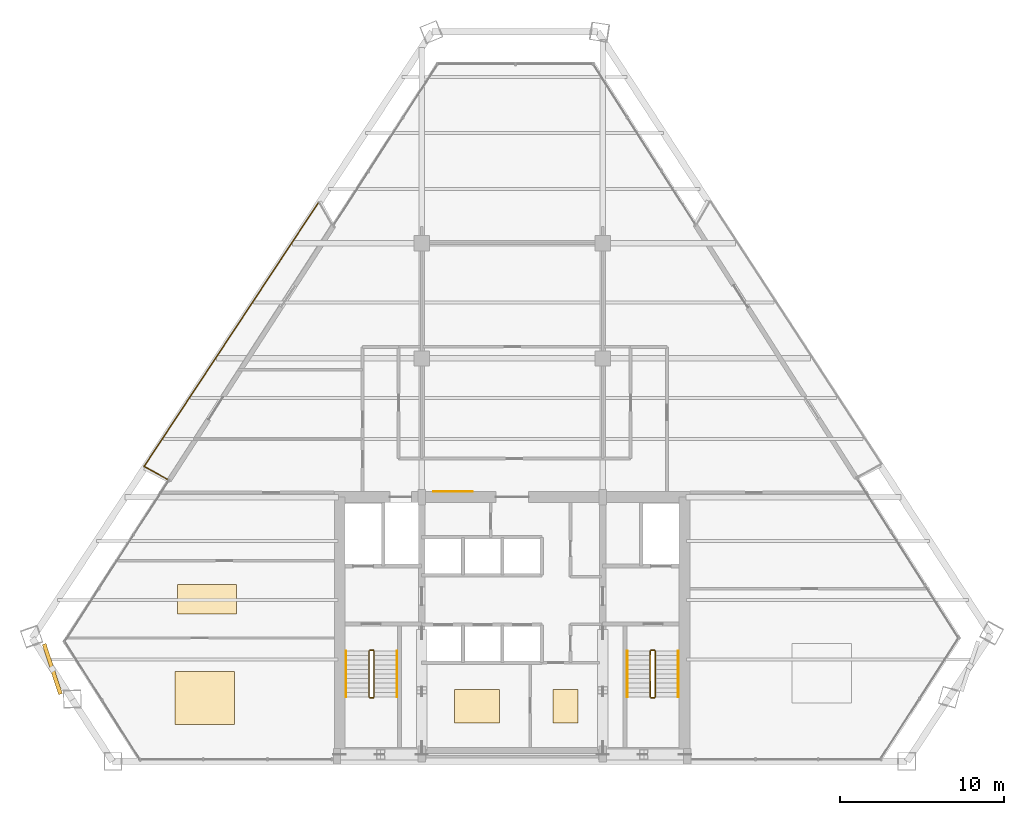
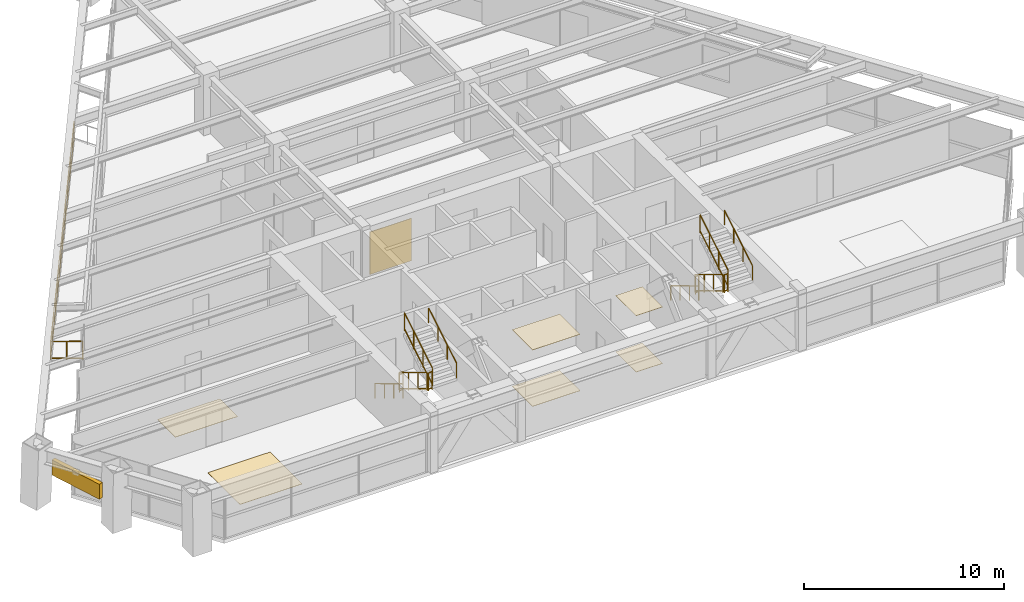
# One storey, part 14 of 15: 14 railings, 7 coverings, 1 shading device.
"""IFC4 building model written with IfcOpenShell, lengths in metres."""

from ifc_helpers import new_model, si_unit, direction, frame, origin, origin_2d, place, context, subcontext, project, spatial, rectangle, extrude, source, transform, mapped, material, layer, layer_set, type_object, type_shapes, element, save


model = new_model("IFC4")

# Units and contexts
model_context = context("Model", 3, precision=1e-05, world=origin(), true_north=direction((0.0, 1.0)))
body_context = subcontext(model_context, "Body", "Model", "MODEL_VIEW")
ifc_project = project(units=[si_unit("LENGTHUNIT", "METRE"), si_unit("AREAUNIT", "SQUARE_METRE"), si_unit("VOLUMEUNIT", "CUBIC_METRE"), si_unit("PLANEANGLEUNIT", "RADIAN"), si_unit("MASSUNIT", "GRAM", prefix="KILO")], contexts=[model_context])

# Site, building, storey
site_placement = place(None, origin())
site = spatial("IfcSite", under=ifc_project, at=site_placement, CompositionType="ELEMENT")
building_placement = place(site_placement, origin())
building = spatial("IfcBuilding", under=site, at=building_placement, Name="Varnakhor Terracotta Tower", CompositionType="ELEMENT")
storey_placement = place(building_placement, frame((0.0, 0.0, 147.800048828125)))
storey = spatial("IfcBuildingStorey", under=building, at=storey_placement, Name="L37", CompositionType="ELEMENT", Elevation=147.800048828125)

# Railings
ifc_material_1 = material(Name="Stainless Steel & Laminated Glass Guardrail", Category="steel")
railing_type_1 = type_object("IfcRailingType", Name="RLG-LOGGIA-GUARD-1150", PredefinedType="GUARDRAIL", material=ifc_material_1)
railing_1_placement = place(storey_placement, frame((-20.97265625, 17.14990234375, 0.0)))
element("IfcRailing", 1, at=railing_1_placement, inside=storey, type_object=railing_type_1, Name="L37 W Loggia Glass Guard 1", PredefinedType="GUARDRAIL", context=body_context, shape_type="SweptSolid", body=[
    extrude(rectangle(XDim=0.048095703125, YDim=0.048095703125, at=origin_2d()), frame((0.0, 0.0, 1.1259765625), z_axis=(-0.873477821906, 0.486863938528, 0.0), x_axis=(-0.486863938528, -0.873477821906, 0.0)), (0.0, 0.0, 1.0), 1.612060546875),
    extrude(rectangle(XDim=0.048095703125, YDim=0.048095703125, at=origin_2d()), frame((0.0, 0.0, 0.10009765625), z_axis=(-0.873477821906, 0.486863938528, 0.0), x_axis=(-0.486863938528, -0.873477821906, 0.0)), (0.0, 0.0, 1.0), 1.612060546875),
    extrude(rectangle(XDim=0.0419921875, YDim=0.0419921875, at=origin_2d()), origin(), (0.0, 0.0, 1.0), 1.101806640625),
    extrude(rectangle(XDim=0.0419921875, YDim=0.0419921875, at=origin_2d()), frame((-0.7041015625, 0.392578125, 0.0)), (0.0, 0.0, 1.0), 1.101806640625),
    extrude(rectangle(XDim=0.0419921875, YDim=0.0419921875, at=origin_2d()), frame((-1.408203125, 0.784912109375, 0.0)), (0.0, 0.0, 1.0), 1.101806640625),
])
railing_2_placement = place(storey_placement, frame((-22.380859375, 17.934814453125, 0.0)))
element("IfcRailing", 2, at=railing_2_placement, inside=storey, type_object=railing_type_1, Name="L37 W Loggia Glass Guard 2", PredefinedType="GUARDRAIL", context=body_context, shape_type="SweptSolid", body=[
    extrude(rectangle(XDim=0.048095703125, YDim=0.048095703125, at=origin_2d()), frame((0.0, 0.0, 1.1259765625), z_axis=(0.551735805113, 0.834018945442, 0.0), x_axis=(-0.834018945442, 0.551735805113, 0.0)), (0.0, 0.0, 1.0), 19.256591796875),
    extrude(rectangle(XDim=0.048095703125, YDim=0.048095703125, at=origin_2d()), frame((0.0, 0.0, 0.10009765625), z_axis=(0.551735805113, 0.834018945442, 0.0), x_axis=(-0.834018945442, 0.551735805113, 0.0)), (0.0, 0.0, 1.0), 19.256591796875),
    extrude(rectangle(XDim=0.0419921875, YDim=0.0419921875, at=origin_2d()), origin(), (0.0, 0.0, 1.0), 1.101806640625),
    extrude(rectangle(XDim=0.0419921875, YDim=0.0419921875, at=origin_2d()), frame((0.7587890625, 1.147216796875, 0.0)), (0.0, 0.0, 1.0), 1.101806640625),
    extrude(rectangle(XDim=0.0419921875, YDim=0.0419921875, at=origin_2d()), frame((1.517822265625, 2.29443359375, 0.0)), (0.0, 0.0, 1.0), 1.101806640625),
    extrude(rectangle(XDim=0.0419921875, YDim=0.0419921875, at=origin_2d()), frame((2.276611328125, 3.44140625, 0.0)), (0.0, 0.0, 1.0), 1.101806640625),
    extrude(rectangle(XDim=0.0419921875, YDim=0.0419921875, at=origin_2d()), frame((3.03564453125, 4.588623046875, 0.0)), (0.0, 0.0, 1.0), 1.101806640625),
    extrude(rectangle(XDim=0.0419921875, YDim=0.0419921875, at=origin_2d()), frame((3.79443359375, 5.73583984375, 0.0)), (0.0, 0.0, 1.0), 1.101806640625),
    extrude(rectangle(XDim=0.0419921875, YDim=0.0419921875, at=origin_2d()), frame((4.553466796875, 6.883056640625, 0.0)), (0.0, 0.0, 1.0), 1.101806640625),
    extrude(rectangle(XDim=0.0419921875, YDim=0.0419921875, at=origin_2d()), frame((5.312255859375, 8.0302734375, 0.0)), (0.0, 0.0, 1.0), 1.101806640625),
    extrude(rectangle(XDim=0.0419921875, YDim=0.0419921875, at=origin_2d()), frame((6.071044921875, 9.17724609375, 0.0)), (0.0, 0.0, 1.0), 1.101806640625),
    extrude(rectangle(XDim=0.0419921875, YDim=0.0419921875, at=origin_2d()), frame((6.830078125, 10.324462890625, 0.0)), (0.0, 0.0, 1.0), 1.101806640625),
    extrude(rectangle(XDim=0.0419921875, YDim=0.0419921875, at=origin_2d()), frame((7.5888671875, 11.4716796875, 0.0)), (0.0, 0.0, 1.0), 1.101806640625),
    extrude(rectangle(XDim=0.0419921875, YDim=0.0419921875, at=origin_2d()), frame((8.347900390625, 12.618896484375, 0.0)), (0.0, 0.0, 1.0), 1.101806640625),
    extrude(rectangle(XDim=0.0419921875, YDim=0.0419921875, at=origin_2d()), frame((9.106689453125, 13.765869140625, 0.0)), (0.0, 0.0, 1.0), 1.101806640625),
    extrude(rectangle(XDim=0.0419921875, YDim=0.0419921875, at=origin_2d()), frame((9.86572265625, 14.9130859375, 0.0)), (0.0, 0.0, 1.0), 1.101806640625),
    extrude(rectangle(XDim=0.0419921875, YDim=0.0419921875, at=origin_2d()), frame((10.62451171875, 16.060302734375, 0.0)), (0.0, 0.0, 1.0), 1.101806640625),
])
ifc_material_2 = material(Name="Painted Steel Stairwell Guardrail", Category="steel")
railing_type_2 = type_object("IfcRailingType", Name="RLG-STAIR-GUARD-1120", PredefinedType="GUARDRAIL", material=ifc_material_2)
railing_3_placement = place(storey_placement, frame((-8.699951171875, 6.7099609375, 0.168212890625)))
element("IfcRailing", 3, at=railing_3_placement, inside=storey, type_object=railing_type_2, Name="L37 ST-1 stair guard 1", PredefinedType="GUARDRAIL", context=body_context, shape_type="SweptSolid", body=[
    extrude(rectangle(XDim=0.048095703125, YDim=0.048095703125, at=origin_2d()), frame((0.0, 0.0, 1.09619140625), z_axis=(0.0, -0.857275202839, 0.514858452973), x_axis=(1.0, 0.0, 0.0)), (0.0, 0.0, 1.0), 3.26611328125),
    extrude(rectangle(XDim=0.048095703125, YDim=0.048095703125, at=origin_2d()), frame((0.0, 0.0, 0.10009765625), z_axis=(0.0, -0.857275202839, 0.514858452973), x_axis=(1.0, 0.0, 0.0)), (0.0, 0.0, 1.0), 3.26611328125),
    extrude(rectangle(XDim=0.0419921875, YDim=0.0419921875, at=origin_2d()), origin(), (0.0, 0.0, 1.0), 1.072021484375),
    extrude(rectangle(XDim=0.0419921875, YDim=0.0419921875, at=origin_2d()), frame((0.0, -0.933349609375, 0.560546875)), (0.0, 0.0, 1.0), 1.072021484375),
    extrude(rectangle(XDim=0.0419921875, YDim=0.0419921875, at=origin_2d()), frame((0.0, -1.86669921875, 1.12109375)), (0.0, 0.0, 1.0), 1.072021484375),
    extrude(rectangle(XDim=0.0419921875, YDim=0.0419921875, at=origin_2d()), frame((0.0, -2.800048828125, 1.681640625)), (0.0, 0.0, 1.0), 1.072021484375),
])
railing_4_placement = place(storey_placement, frame((-8.64990234375, 3.860107421875, 1.849853515625)))
element("IfcRailing", 4, at=railing_4_placement, inside=storey, type_object=railing_type_2, Name="L37 ST-1 stair guard 2", PredefinedType="GUARDRAIL", context=body_context, shape_type="SweptSolid", body=[
    extrude(rectangle(XDim=0.048095703125, YDim=0.048095703125, at=origin_2d()), frame((0.0, 0.0, 1.09619140625), z_axis=(1.0, 0.0, 0.0), x_axis=(0.0, 1.0, 0.0)), (0.0, 0.0, 1.0), 0.199951171875),
    extrude(rectangle(XDim=0.048095703125, YDim=0.048095703125, at=origin_2d()), frame((0.0, 0.0, 0.10009765625), z_axis=(1.0, 0.0, 0.0), x_axis=(0.0, 1.0, 0.0)), (0.0, 0.0, 1.0), 0.199951171875),
    extrude(rectangle(XDim=0.0419921875, YDim=0.0419921875, at=origin_2d()), origin(), (0.0, 0.0, 1.0), 1.072021484375),
    extrude(rectangle(XDim=0.0419921875, YDim=0.0419921875, at=origin_2d()), frame((0.199951171875, 0.0, 0.0)), (0.0, 0.0, 1.0), 1.072021484375),
])
railing_5_placement = place(storey_placement, frame((-8.39990234375, 3.909912109375, 2.01806640625)))
element("IfcRailing", 5, at=railing_5_placement, inside=storey, type_object=railing_type_2, Name="L37 ST-1 stair guard 3", PredefinedType="GUARDRAIL", context=body_context, shape_type="SweptSolid", body=[
    extrude(rectangle(XDim=0.048095703125, YDim=0.048095703125, at=origin_2d()), frame((0.0, 0.0, 1.09619140625), z_axis=(0.0, 0.857242210791, 0.514913383045), x_axis=(-1.0, 0.0, 0.0)), (0.0, 0.0, 1.0), 3.266357421875),
    extrude(rectangle(XDim=0.048095703125, YDim=0.048095703125, at=origin_2d()), frame((0.0, 0.0, 0.10009765625), z_axis=(0.0, 0.857242210791, 0.514913383045), x_axis=(-1.0, 0.0, 0.0)), (0.0, 0.0, 1.0), 3.266357421875),
    extrude(rectangle(XDim=0.0419921875, YDim=0.0419921875, at=origin_2d()), origin(), (0.0, 0.0, 1.0), 1.072021484375),
    extrude(rectangle(XDim=0.0419921875, YDim=0.0419921875, at=origin_2d()), frame((0.0, 0.933349609375, 0.560546875)), (0.0, 0.0, 1.0), 1.072021484375),
    extrude(rectangle(XDim=0.0419921875, YDim=0.0419921875, at=origin_2d()), frame((0.0, 1.86669921875, 1.121337890625)), (0.0, 0.0, 1.0), 1.072021484375),
    extrude(rectangle(XDim=0.0419921875, YDim=0.0419921875, at=origin_2d()), frame((0.0, 2.800048828125, 1.681884765625)), (0.0, 0.0, 1.0), 1.072021484375),
])
railing_6_placement = place(storey_placement, frame((-8.64990234375, 6.760009765625, 0.0)))
element("IfcRailing", 6, at=railing_6_placement, inside=storey, type_object=railing_type_2, Name="L37 ST-1 stair guard 4", PredefinedType="GUARDRAIL", context=body_context, shape_type="SweptSolid", body=[
    extrude(rectangle(XDim=0.048095703125, YDim=0.048095703125, at=origin_2d()), frame((0.0, 0.0, 1.09619140625), z_axis=(1.0, 0.0, 0.0), x_axis=(0.0, 1.0, 0.0)), (0.0, 0.0, 1.0), 0.199951171875),
    extrude(rectangle(XDim=0.048095703125, YDim=0.048095703125, at=origin_2d()), frame((0.0, 0.0, 0.10009765625), z_axis=(1.0, 0.0, 0.0), x_axis=(0.0, 1.0, 0.0)), (0.0, 0.0, 1.0), 0.199951171875),
    extrude(rectangle(XDim=0.0419921875, YDim=0.0419921875, at=origin_2d()), origin(), (0.0, 0.0, 1.0), 1.072021484375),
    extrude(rectangle(XDim=0.0419921875, YDim=0.0419921875, at=origin_2d()), frame((0.199951171875, 0.0, 0.0)), (0.0, 0.0, 1.0), 1.072021484375),
])
railing_7_placement = place(storey_placement, frame((8.39990234375, 6.7099609375, 0.168212890625)))
element("IfcRailing", 7, at=railing_7_placement, inside=storey, type_object=railing_type_2, Name="L37 ST-2 stair guard 1", PredefinedType="GUARDRAIL", context=body_context, shape_type="SweptSolid", body=[
    extrude(rectangle(XDim=0.048095703125, YDim=0.048095703125, at=origin_2d()), frame((0.0, 0.0, 1.09619140625), z_axis=(0.0, -0.857275202839, 0.514858452973), x_axis=(1.0, 0.0, 0.0)), (0.0, 0.0, 1.0), 3.26611328125),
    extrude(rectangle(XDim=0.048095703125, YDim=0.048095703125, at=origin_2d()), frame((0.0, 0.0, 0.10009765625), z_axis=(0.0, -0.857275202839, 0.514858452973), x_axis=(1.0, 0.0, 0.0)), (0.0, 0.0, 1.0), 3.26611328125),
    extrude(rectangle(XDim=0.0419921875, YDim=0.0419921875, at=origin_2d()), origin(), (0.0, 0.0, 1.0), 1.072021484375),
    extrude(rectangle(XDim=0.0419921875, YDim=0.0419921875, at=origin_2d()), frame((0.0, -0.933349609375, 0.560546875)), (0.0, 0.0, 1.0), 1.072021484375),
    extrude(rectangle(XDim=0.0419921875, YDim=0.0419921875, at=origin_2d()), frame((0.0, -1.86669921875, 1.12109375)), (0.0, 0.0, 1.0), 1.072021484375),
    extrude(rectangle(XDim=0.0419921875, YDim=0.0419921875, at=origin_2d()), frame((0.0, -2.800048828125, 1.681640625)), (0.0, 0.0, 1.0), 1.072021484375),
])
railing_8_placement = place(storey_placement, frame((8.449951171875, 3.860107421875, 1.849853515625)))
element("IfcRailing", 8, at=railing_8_placement, inside=storey, type_object=railing_type_2, Name="L37 ST-2 stair guard 2", PredefinedType="GUARDRAIL", context=body_context, shape_type="SweptSolid", body=[
    extrude(rectangle(XDim=0.048095703125, YDim=0.048095703125, at=origin_2d()), frame((0.0, 0.0, 1.09619140625), z_axis=(1.0, 0.0, 0.0), x_axis=(0.0, 1.0, 0.0)), (0.0, 0.0, 1.0), 0.199951171875),
    extrude(rectangle(XDim=0.048095703125, YDim=0.048095703125, at=origin_2d()), frame((0.0, 0.0, 0.10009765625), z_axis=(1.0, 0.0, 0.0), x_axis=(0.0, 1.0, 0.0)), (0.0, 0.0, 1.0), 0.199951171875),
    extrude(rectangle(XDim=0.0419921875, YDim=0.0419921875, at=origin_2d()), origin(), (0.0, 0.0, 1.0), 1.072021484375),
    extrude(rectangle(XDim=0.0419921875, YDim=0.0419921875, at=origin_2d()), frame((0.199951171875, 0.0, 0.0)), (0.0, 0.0, 1.0), 1.072021484375),
])
railing_9_placement = place(storey_placement, frame((8.699951171875, 3.909912109375, 2.01806640625)))
element("IfcRailing", 9, at=railing_9_placement, inside=storey, type_object=railing_type_2, Name="L37 ST-2 stair guard 3", PredefinedType="GUARDRAIL", context=body_context, shape_type="SweptSolid", body=[
    extrude(rectangle(XDim=0.048095703125, YDim=0.048095703125, at=origin_2d()), frame((0.0, 0.0, 1.09619140625), z_axis=(0.0, 0.857242210791, 0.514913383045), x_axis=(-1.0, 0.0, 0.0)), (0.0, 0.0, 1.0), 3.266357421875),
    extrude(rectangle(XDim=0.048095703125, YDim=0.048095703125, at=origin_2d()), frame((0.0, 0.0, 0.10009765625), z_axis=(0.0, 0.857242210791, 0.514913383045), x_axis=(-1.0, 0.0, 0.0)), (0.0, 0.0, 1.0), 3.266357421875),
    extrude(rectangle(XDim=0.0419921875, YDim=0.0419921875, at=origin_2d()), origin(), (0.0, 0.0, 1.0), 1.072021484375),
    extrude(rectangle(XDim=0.0419921875, YDim=0.0419921875, at=origin_2d()), frame((0.0, 0.933349609375, 0.560546875)), (0.0, 0.0, 1.0), 1.072021484375),
    extrude(rectangle(XDim=0.0419921875, YDim=0.0419921875, at=origin_2d()), frame((0.0, 1.86669921875, 1.121337890625)), (0.0, 0.0, 1.0), 1.072021484375),
    extrude(rectangle(XDim=0.0419921875, YDim=0.0419921875, at=origin_2d()), frame((0.0, 2.800048828125, 1.681884765625)), (0.0, 0.0, 1.0), 1.072021484375),
])
railing_10_placement = place(storey_placement, frame((8.449951171875, 6.760009765625, 0.0)))
element("IfcRailing", 10, at=railing_10_placement, inside=storey, type_object=railing_type_2, Name="L37 ST-2 stair guard 4", PredefinedType="GUARDRAIL", context=body_context, shape_type="SweptSolid", body=[
    extrude(rectangle(XDim=0.048095703125, YDim=0.048095703125, at=origin_2d()), frame((0.0, 0.0, 1.09619140625), z_axis=(1.0, 0.0, 0.0), x_axis=(0.0, 1.0, 0.0)), (0.0, 0.0, 1.0), 0.199951171875),
    extrude(rectangle(XDim=0.048095703125, YDim=0.048095703125, at=origin_2d()), frame((0.0, 0.0, 0.10009765625), z_axis=(1.0, 0.0, 0.0), x_axis=(0.0, 1.0, 0.0)), (0.0, 0.0, 1.0), 0.199951171875),
    extrude(rectangle(XDim=0.0419921875, YDim=0.0419921875, at=origin_2d()), origin(), (0.0, 0.0, 1.0), 1.072021484375),
    extrude(rectangle(XDim=0.0419921875, YDim=0.0419921875, at=origin_2d()), frame((0.199951171875, 0.0, 0.0)), (0.0, 0.0, 1.0), 1.072021484375),
])
ifc_material_3 = material(Name="Brushed Stainless Steel Handrail", Category="steel")
railing_type_3 = type_object("IfcRailingType", Name="RLG-STAIR-HANDRAIL-920", PredefinedType="HANDRAIL", material=ifc_material_3)
railing_11_placement = place(storey_placement, frame((-10.10009765625, 6.7099609375, 0.168212890625)))
element("IfcRailing", 11, at=railing_11_placement, inside=storey, type_object=railing_type_3, Name="L37 ST-1 stair handrail 1", PredefinedType="HANDRAIL", context=body_context, shape_type="SweptSolid", body=[
    extrude(rectangle(XDim=0.048095703125, YDim=0.048095703125, at=origin_2d()), frame((0.0, 0.0, 0.89599609375), z_axis=(0.0, -0.857275202839, 0.514858452973), x_axis=(1.0, 0.0, 0.0)), (0.0, 0.0, 1.0), 3.26611328125),
    extrude(rectangle(XDim=0.0419921875, YDim=0.0419921875, at=origin_2d()), origin(), (0.0, 0.0, 1.0), 0.871826171875),
    extrude(rectangle(XDim=0.0419921875, YDim=0.0419921875, at=origin_2d()), frame((0.0, -0.933349609375, 0.560546875)), (0.0, 0.0, 1.0), 0.871826171875),
    extrude(rectangle(XDim=0.0419921875, YDim=0.0419921875, at=origin_2d()), frame((0.0, -1.86669921875, 1.12109375)), (0.0, 0.0, 1.0), 0.871826171875),
    extrude(rectangle(XDim=0.0419921875, YDim=0.0419921875, at=origin_2d()), frame((0.0, -2.800048828125, 1.681640625)), (0.0, 0.0, 1.0), 0.871826171875),
])
railing_12_placement = place(storey_placement, frame((-7.0, 3.909912109375, 2.01806640625)))
element("IfcRailing", 12, at=railing_12_placement, inside=storey, type_object=railing_type_3, Name="L37 ST-1 stair handrail 2", PredefinedType="HANDRAIL", context=body_context, shape_type="SweptSolid", body=[
    extrude(rectangle(XDim=0.048095703125, YDim=0.048095703125, at=origin_2d()), frame((0.0, 0.0, 0.89599609375), z_axis=(0.0, 0.857242210791, 0.514913383045), x_axis=(-1.0, 0.0, 0.0)), (0.0, 0.0, 1.0), 3.266357421875),
    extrude(rectangle(XDim=0.0419921875, YDim=0.0419921875, at=origin_2d()), origin(), (0.0, 0.0, 1.0), 0.871826171875),
    extrude(rectangle(XDim=0.0419921875, YDim=0.0419921875, at=origin_2d()), frame((0.0, 0.933349609375, 0.560546875)), (0.0, 0.0, 1.0), 0.871826171875),
    extrude(rectangle(XDim=0.0419921875, YDim=0.0419921875, at=origin_2d()), frame((0.0, 1.86669921875, 1.121337890625)), (0.0, 0.0, 1.0), 0.871826171875),
    extrude(rectangle(XDim=0.0419921875, YDim=0.0419921875, at=origin_2d()), frame((0.0, 2.800048828125, 1.681884765625)), (0.0, 0.0, 1.0), 0.871826171875),
])
railing_13_placement = place(storey_placement, frame((7.0, 6.7099609375, 0.168212890625)))
element("IfcRailing", 13, at=railing_13_placement, inside=storey, type_object=railing_type_3, Name="L37 ST-2 stair handrail 1", PredefinedType="HANDRAIL", context=body_context, shape_type="SweptSolid", body=[
    extrude(rectangle(XDim=0.048095703125, YDim=0.048095703125, at=origin_2d()), frame((0.0, 0.0, 0.89599609375), z_axis=(0.0, -0.857275202839, 0.514858452973), x_axis=(1.0, 0.0, 0.0)), (0.0, 0.0, 1.0), 3.26611328125),
    extrude(rectangle(XDim=0.0419921875, YDim=0.0419921875, at=origin_2d()), origin(), (0.0, 0.0, 1.0), 0.871826171875),
    extrude(rectangle(XDim=0.0419921875, YDim=0.0419921875, at=origin_2d()), frame((0.0, -0.933349609375, 0.560546875)), (0.0, 0.0, 1.0), 0.871826171875),
    extrude(rectangle(XDim=0.0419921875, YDim=0.0419921875, at=origin_2d()), frame((0.0, -1.86669921875, 1.12109375)), (0.0, 0.0, 1.0), 0.871826171875),
    extrude(rectangle(XDim=0.0419921875, YDim=0.0419921875, at=origin_2d()), frame((0.0, -2.800048828125, 1.681640625)), (0.0, 0.0, 1.0), 0.871826171875),
])
railing_14_placement = place(storey_placement, frame((10.10009765625, 3.909912109375, 2.01806640625)))
element("IfcRailing", 14, at=railing_14_placement, inside=storey, type_object=railing_type_3, Name="L37 ST-2 stair handrail 2", PredefinedType="HANDRAIL", context=body_context, shape_type="SweptSolid", body=[
    extrude(rectangle(XDim=0.048095703125, YDim=0.048095703125, at=origin_2d()), frame((0.0, 0.0, 0.89599609375), z_axis=(0.0, 0.857242210791, 0.514913383045), x_axis=(-1.0, 0.0, 0.0)), (0.0, 0.0, 1.0), 3.266357421875),
    extrude(rectangle(XDim=0.0419921875, YDim=0.0419921875, at=origin_2d()), origin(), (0.0, 0.0, 1.0), 0.871826171875),
    extrude(rectangle(XDim=0.0419921875, YDim=0.0419921875, at=origin_2d()), frame((0.0, 0.933349609375, 0.560546875)), (0.0, 0.0, 1.0), 0.871826171875),
    extrude(rectangle(XDim=0.0419921875, YDim=0.0419921875, at=origin_2d()), frame((0.0, 1.86669921875, 1.121337890625)), (0.0, 0.0, 1.0), 0.871826171875),
    extrude(rectangle(XDim=0.0419921875, YDim=0.0419921875, at=origin_2d()), frame((0.0, 2.800048828125, 1.681884765625)), (0.0, 0.0, 1.0), 0.871826171875),
])

# Shading device
ifc_material_4 = material(Name="Extruded Architectural Terracotta Screen", Category="masonry")
shading_device_type = type_object("IfcShadingDeviceType", Name="TERRACOTTA SOLAR SCREEN W", PredefinedType="USERDEFINED", material=ifc_material_4)
shared_shape_1 = source(origin(), body_context, "Body", "SweptSolid", [
    extrude(rectangle(XDim=3.199951171875, YDim=0.239990234375, at=origin_2d()), origin(), (0.0, 0.0, 1.0), 0.919921875),
])
type_shapes(shading_device_type, [shared_shape_1])
shading_device_placement = place(storey_placement, frame((-27.958984375, 5.6142578125, 1.7099609375), z_axis=(0.0, 0.0, 1.0), x_axis=(0.310858909824, -0.950456068518, 0.0)))
element("IfcShadingDevice", 15, at=shading_device_placement, inside=storey, type_object=shading_device_type, Name="L37 W Terracotta Solar Screen", ObjectType="SCREEN", PredefinedType="USERDEFINED", context=body_context, shape_type="MappedRepresentation", body=[
    mapped(shared_shape_1, transform((0.0, 0.0, 0.0), scale=1.0)),
])

# Coverings
ifc_material_5 = material(Name="Extruded Architectural Terracotta Cladding", Category="masonry")
ifc_layer_1 = layer(ifc_material_5, 0.044921875, Name="Extruded Architectural Terracotta Cladding")
ifc_layer_set_1 = layer_set([ifc_layer_1], Name="Extruded Architectural Terracotta Cladding")
covering_type_1 = type_object("IfcCoveringType", Name="COV-CLAD-TERRACOTTA", PredefinedType="CLADDING", material=ifc_layer_set_1)
shared_shape_2 = source(origin(), body_context, "Body", "SweptSolid", [
    extrude(rectangle(XDim=2.39990234375, YDim=0.030029296875, at=origin_2d()), origin(), (0.0, 0.0, 1.0), 2.60009765625),
])
type_shapes(covering_type_1, [shared_shape_2])
covering_1_placement = place(storey_placement, frame((-3.60009765625, 16.412109375, 0.0), z_axis=(0.0, 0.0, 1.0), x_axis=(1.0, 0.0, 0.0)))
element("IfcCovering", 16, at=covering_1_placement, inside=storey, type_object=covering_type_1, Name="L37 Core Lobby Limestone Cladding", PredefinedType="CLADDING", context=body_context, shape_type="MappedRepresentation", body=[
    mapped(shared_shape_2, transform((0.0, 0.0, 0.0), scale=1.0)),
])
ifc_material_6 = material(Name="Honed Riyadh Limestone Flooring", Category="masonry")
ifc_layer_2 = layer(ifc_material_6, 0.030029296875, Name="Honed Riyadh Limestone Flooring")
ifc_layer_set_2 = layer_set([ifc_layer_2], Name="Honed Riyadh Limestone Flooring")
covering_type_2 = type_object("IfcCoveringType", Name="COV-FLOOR-LIMESTONE", PredefinedType="FLOORING", material=ifc_layer_set_2)
shared_shape_3 = source(origin(), body_context, "Body", "SweptSolid", [
    extrude(rectangle(XDim=3.60009765625, YDim=3.214111328125, at=origin_2d()), origin(), (0.0, 0.0, 1.0), 0.02001953125),
])
covering_2_placement = place(storey_placement, frame((-18.68994140625, 3.85205078125, 0.0), z_axis=(0.0, 0.0, 1.0), x_axis=(1.0, 0.0, 0.0)))
element("IfcCovering", 17, at=covering_2_placement, inside=storey, type_object=covering_type_2, Name="L37 Honed Stone Flooring 3", PredefinedType="FLOORING", context=body_context, shape_type="MappedRepresentation", body=[
    mapped(shared_shape_3, transform((0.0, 0.0, 0.0), scale=1.0)),
])
shared_shape_4 = source(origin(), body_context, "Body", "SweptSolid", [
    extrude(rectangle(XDim=3.60009765625, YDim=1.785888671875, at=origin_2d()), origin(), (0.0, 0.0, 1.0), 0.02001953125),
])
covering_3_placement = place(storey_placement, frame((-18.550048828125, 9.85009765625, 0.0), z_axis=(0.0, 0.0, 1.0), x_axis=(1.0, 0.0, 0.0)))
element("IfcCovering", 18, at=covering_3_placement, inside=storey, type_object=covering_type_2, Name="L37 Honed Stone Flooring 5", PredefinedType="FLOORING", context=body_context, shape_type="MappedRepresentation", body=[
    mapped(shared_shape_4, transform((0.0, 0.0, 0.0), scale=1.0)),
])
shared_shape_5 = source(origin(), body_context, "Body", "SweptSolid", [
    extrude(rectangle(XDim=2.75, YDim=2.041015625, at=origin_2d()), origin(), (0.0, 0.0, 1.0), 0.02001953125),
])
covering_4_placement = place(storey_placement, frame((-2.139892578125, 3.35498046875, 0.0), z_axis=(0.0, 0.0, 1.0), x_axis=(1.0, 0.0, 0.0)))
element("IfcCovering", 19, at=covering_4_placement, inside=storey, type_object=covering_type_2, Name="L37 Honed Stone Flooring 1", PredefinedType="FLOORING", context=body_context, shape_type="MappedRepresentation", body=[
    mapped(shared_shape_5, transform((0.0, 0.0, 0.0), scale=1.0)),
])
ifc_material_7 = material(Name="Perforated Acoustic Mineral-Fibre Ceiling", Category="gypsum")
ifc_layer_3 = layer(ifc_material_7, 0.02490234375, Name="Perforated Acoustic Mineral-Fibre Ceiling")
ifc_layer_set_3 = layer_set([ifc_layer_3], Name="Perforated Acoustic Mineral-Fibre Ceiling")
covering_type_3 = type_object("IfcCoveringType", Name="COV-CEILING-ACOUSTIC", PredefinedType="CEILING", material=ifc_layer_set_3)
shared_shape_6 = source(origin(), body_context, "Body", "SweptSolid", [
    extrude(rectangle(XDim=2.75, YDim=2.041015625, at=origin_2d()), origin(), (0.0, 0.0, 1.0), 0.02392578125),
])
covering_5_placement = place(storey_placement, frame((-2.139892578125, 3.35498046875, 3.446044921875), z_axis=(0.0, 0.0, 1.0), x_axis=(1.0, 0.0, 0.0)))
element("IfcCovering", 20, at=covering_5_placement, inside=storey, type_object=covering_type_3, Name="L37 Acoustic Ceiling Panel 1", PredefinedType="CEILING", context=body_context, shape_type="MappedRepresentation", body=[
    mapped(shared_shape_6, transform((0.0, 0.0, 0.0), scale=1.0)),
])
shared_shape_7 = source(origin(), body_context, "Body", "SweptSolid", [
    extrude(rectangle(XDim=1.5400390625, YDim=2.041015625, at=origin_2d()), origin(), (0.0, 0.0, 1.0), 0.02001953125),
])
covering_6_placement = place(storey_placement, frame((3.239990234375, 3.35498046875, 0.0), z_axis=(0.0, 0.0, 1.0), x_axis=(1.0, 0.0, 0.0)))
element("IfcCovering", 21, at=covering_6_placement, inside=storey, type_object=covering_type_2, Name="L37 Honed Stone Flooring 2", PredefinedType="FLOORING", context=body_context, shape_type="MappedRepresentation", body=[
    mapped(shared_shape_7, transform((0.0, 0.0, 0.0), scale=1.0)),
])
shared_shape_8 = source(origin(), body_context, "Body", "SweptSolid", [
    extrude(rectangle(XDim=1.5400390625, YDim=2.041015625, at=origin_2d()), origin(), (0.0, 0.0, 1.0), 0.02392578125),
])
covering_7_placement = place(storey_placement, frame((3.239990234375, 3.35498046875, 3.446044921875), z_axis=(0.0, 0.0, 1.0), x_axis=(1.0, 0.0, 0.0)))
element("IfcCovering", 22, at=covering_7_placement, inside=storey, type_object=covering_type_3, Name="L37 Acoustic Ceiling Panel 2", PredefinedType="CEILING", context=body_context, shape_type="MappedRepresentation", body=[
    mapped(shared_shape_8, transform((0.0, 0.0, 0.0), scale=1.0)),
])

save(model, "model.ifc")
